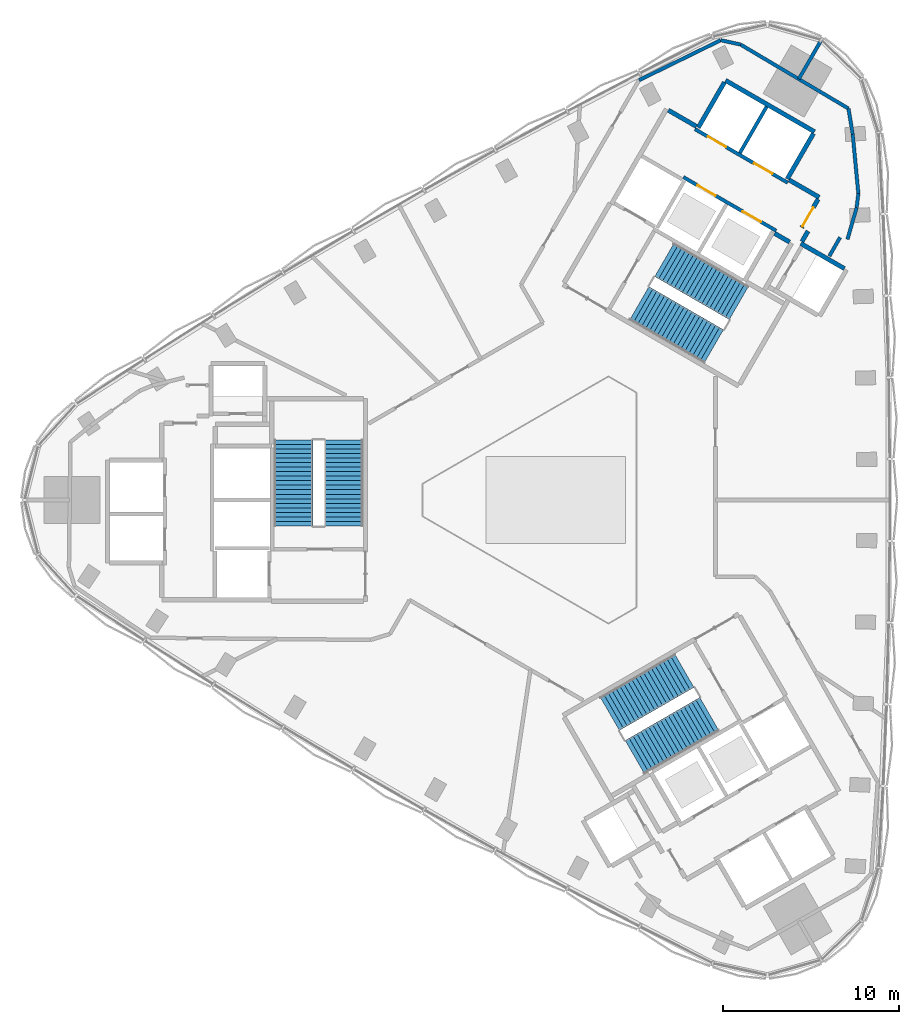
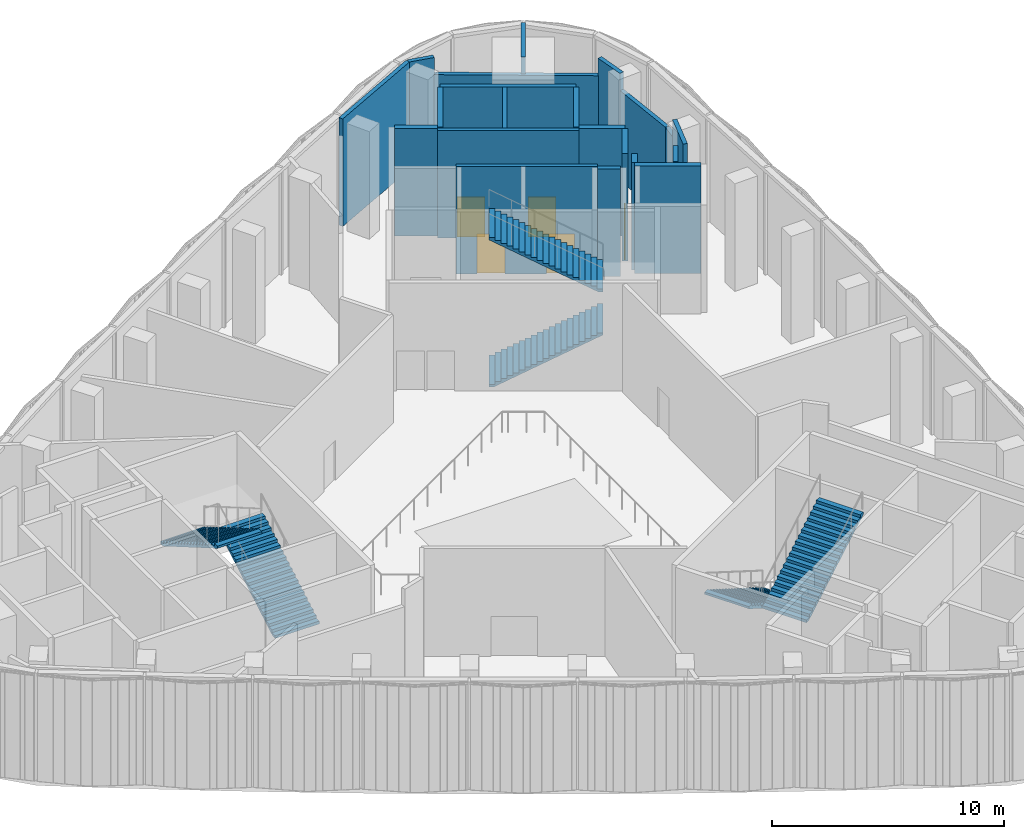
# One storey, part 8 of 14: 21 walls, 6 stair flights, 5 doors, 5 openings, 3 elements without a shape of their own.
"""IFC4 building model written with IfcOpenShell, lengths in metres."""

from ifc_helpers import new_model, si_unit, direction, frame, frame_2d, origin, place, context, subcontext, project, spatial, polyline, rectangle, outline, extrude, material, layer, layer_set, type_object, element, fill, aggregate, save


model = new_model("IFC4")

# Units and contexts
model_context = context("Model", 3, precision=1e-05, world=origin(), true_north=direction((0.0, 1.0)))
body_context = subcontext(model_context, "Body", "Model", "MODEL_VIEW")
ifc_project = project(units=[si_unit("LENGTHUNIT", "METRE"), si_unit("AREAUNIT", "SQUARE_METRE"), si_unit("VOLUMEUNIT", "CUBIC_METRE"), si_unit("PLANEANGLEUNIT", "RADIAN"), si_unit("MASSUNIT", "GRAM", prefix="KILO")], contexts=[model_context])

# Site, building, storey
site_placement = place(None, origin())
site = spatial("IfcSite", under=ifc_project, at=site_placement, CompositionType="ELEMENT")
building_placement = place(site_placement, origin())
building = spatial("IfcBuilding", under=site, at=building_placement, Name="Tamra Quay Hotel Tower", CompositionType="ELEMENT")
storey_placement = place(building_placement, frame((0.0, 0.0, 169.60009765625)))
storey = spatial("IfcBuildingStorey", under=building, at=storey_placement, Name="L42", CompositionType="ELEMENT", Elevation=169.60009765625)

# Wall, openings, doors
ifc_material_1 = material(Name="Concrete M70", Category="concrete")
ifc_layer_1 = layer(ifc_material_1, 0.199951171875)
ifc_layer_set_1 = layer_set([ifc_layer_1], Name="Concrete M70 core wall 200")
wall_type_1 = type_object("IfcWallType", Name="Concrete M70 core wall 200", PredefinedType="SHEAR", material=ifc_layer_set_1)
wall_1_placement = place(storey_placement, frame((13.209716796875, 18.07958984375, 0.0), z_axis=(0.0, 0.0, 1.0), x_axis=(-0.866030299012, 0.499991521122, 0.0)))
wall_1 = element("IfcWall", 1, at=wall_1_placement, inside=storey, type_object=wall_type_1, Name="CW2", PredefinedType="SHEAR", context=body_context, shape_type="SweptSolid", body=[
    extrude(rectangle(XDim=6.10009765625, YDim=0.199951171875, at=frame_2d((3.050048828125, 0.0))), origin(), (0.0, 0.0, 1.0), 5.64990234375),
])
opening_1_placement = place(wall_1_placement, frame((1.0, 0.0, 0.0)))
opening_1 = element("IfcOpeningElement", 2, at=opening_1_placement, cuts=wall_1, Name="Opening LD", PredefinedType="OPENING", context=body_context, shape_type="SweptSolid", body=[
    extrude(rectangle(XDim=1.199951171875, YDim=2.10009765625, at=frame_2d((0.60009765625, 1.050048828125))), frame((0.0, 0.10986328125, 0.0), z_axis=(0.0, -1.0, 0.0), x_axis=(1.0, 0.0, 0.0)), (0.0, 0.0, 1.0), 0.219970703125),
])
opening_2_placement = place(wall_1_placement, frame((4.05029296875, 0.0, 0.0)))
opening_2 = element("IfcOpeningElement", 3, at=opening_2_placement, cuts=wall_1, Name="Opening LD", PredefinedType="OPENING", context=body_context, shape_type="SweptSolid", body=[
    extrude(rectangle(XDim=1.199951171875, YDim=2.10009765625, at=frame_2d((0.60009765625, 1.050048828125))), frame((0.0, 0.10986328125, 0.0), z_axis=(0.0, -1.0, 0.0), x_axis=(1.0, 0.0, 0.0)), (0.0, 0.0, 1.0), 0.219970703125),
])
ifc_material_2 = material(Name="Landing door LD 1200 double door sliding")
door_type_1 = type_object("IfcDoorType", Name="Landing door LD 1200 double door sliding", OperationType="DOUBLE_DOOR_SLIDING", PredefinedType="DOOR", material=ifc_material_2)
door_1_placement = place(opening_1_placement, origin())
door_1 = element("IfcDoor", 4, at=door_1_placement, inside=storey, type_object=door_type_1, Name="LD", OperationType="DOUBLE_DOOR_SLIDING", OverallHeight=2.10009765625, OverallWidth=1.199951171875, PredefinedType="DOOR", context=body_context, shape_type="SweptSolid", body=[
    extrude(rectangle(XDim=1.199951171875, YDim=2.10009765625, at=frame_2d((0.60009765625, 1.050048828125))), frame((0.0, 0.02490234375, 0.0), z_axis=(0.0, -1.0, 0.0), x_axis=(1.0, 0.0, 0.0)), (0.0, 0.0, 1.0), 0.050048828125),
])
fill(opening_1, door_1)
door_2_placement = place(opening_2_placement, origin())
door_2 = element("IfcDoor", 5, at=door_2_placement, inside=storey, type_object=door_type_1, Name="LD", OperationType="DOUBLE_DOOR_SLIDING", OverallHeight=2.10009765625, OverallWidth=1.199951171875, PredefinedType="DOOR", context=body_context, shape_type="SweptSolid", body=[
    extrude(rectangle(XDim=1.199951171875, YDim=2.10009765625, at=frame_2d((0.60009765625, 1.050048828125))), frame((0.0, 0.02490234375, 0.0), z_axis=(0.0, -1.0, 0.0), x_axis=(1.0, 0.0, 0.0)), (0.0, 0.0, 1.0), 0.050048828125),
])
fill(opening_2, door_2)

wall_2_placement = place(storey_placement, frame((12.552490234375, 15.341552734375, 0.0), z_axis=(0.0, 0.0, 1.0), x_axis=(-0.866030299012, 0.499991521122, 0.0)))
wall_2 = element("IfcWall", 6, at=wall_2_placement, inside=storey, type_object=wall_type_1, Name="CW2", PredefinedType="SHEAR", context=body_context, shape_type="SweptSolid", body=[
    extrude(rectangle(XDim=6.10009765625, YDim=0.199951171875, at=frame_2d((3.050048828125, 0.0))), origin(), (0.0, 0.0, 1.0), 5.64990234375),
])
opening_3_placement = place(wall_2_placement, frame((1.0, 0.0, 0.0)))
opening_3 = element("IfcOpeningElement", 7, at=opening_3_placement, cuts=wall_2, Name="Opening LD", PredefinedType="OPENING", context=body_context, shape_type="SweptSolid", body=[
    extrude(rectangle(XDim=1.199951171875, YDim=2.10009765625, at=frame_2d((0.60009765625, 1.050048828125))), frame((0.0, 0.10986328125, 0.0), z_axis=(0.0, -1.0, 0.0), x_axis=(1.0, 0.0, 0.0)), (0.0, 0.0, 1.0), 0.219970703125),
])
opening_4_placement = place(wall_2_placement, frame((3.982177734375, 0.0, 0.0)))
opening_4 = element("IfcOpeningElement", 8, at=opening_4_placement, cuts=wall_2, Name="Opening LD", PredefinedType="OPENING", context=body_context, shape_type="SweptSolid", body=[
    extrude(rectangle(XDim=1.199951171875, YDim=2.10009765625, at=frame_2d((0.60009765625, 1.050048828125))), frame((0.0, 0.10986328125, 0.0), z_axis=(0.0, -1.0, 0.0), x_axis=(1.0, 0.0, 0.0)), (0.0, 0.0, 1.0), 0.219970703125),
])
door_3_placement = place(opening_3_placement, origin())
door_3 = element("IfcDoor", 9, at=door_3_placement, inside=storey, type_object=door_type_1, Name="LD", OperationType="DOUBLE_DOOR_SLIDING", OverallHeight=2.10009765625, OverallWidth=1.199951171875, PredefinedType="DOOR", context=body_context, shape_type="SweptSolid", body=[
    extrude(rectangle(XDim=1.199951171875, YDim=2.10009765625, at=frame_2d((0.60009765625, 1.050048828125))), frame((0.0, 0.02490234375, 0.0), z_axis=(0.0, -1.0, 0.0), x_axis=(1.0, 0.0, 0.0)), (0.0, 0.0, 1.0), 0.050048828125),
])
fill(opening_3, door_3)
door_4_placement = place(opening_4_placement, origin())
door_4 = element("IfcDoor", 10, at=door_4_placement, inside=storey, type_object=door_type_1, Name="LD", OperationType="DOUBLE_DOOR_SLIDING", OverallHeight=2.10009765625, OverallWidth=1.199951171875, PredefinedType="DOOR", context=body_context, shape_type="SweptSolid", body=[
    extrude(rectangle(XDim=1.199951171875, YDim=2.10009765625, at=frame_2d((0.60009765625, 1.050048828125))), frame((0.0, 0.02490234375, 0.0), z_axis=(0.0, -1.0, 0.0), x_axis=(1.0, 0.0, 0.0)), (0.0, 0.0, 1.0), 0.050048828125),
])
fill(opening_4, door_4)

# Walls
wall_3_placement = place(storey_placement, frame((10.48876953125, 19.76708984375, 0.0), z_axis=(0.0, 0.0, 1.0), x_axis=(0.499946628782, 0.866056215479, 0.0)))
element("IfcWall", 11, at=wall_3_placement, inside=storey, type_object=wall_type_1, Name="CW2", PredefinedType="SHEAR", context=body_context, shape_type="SweptSolid", body=[
    extrude(rectangle(XDim=3.048095703125, YDim=0.199951171875, at=frame_2d((1.52392578125, 0.0))), origin(), (0.0, 0.0, 1.0), 5.64990234375),
])
ifc_layer_2 = layer(ifc_material_1, 0.25)
ifc_layer_set_2 = layer_set([ifc_layer_2], Name="Concrete M70 core wall 250")
wall_type_2 = type_object("IfcWallType", Name="Concrete M70 core wall 250", PredefinedType="SHEAR", material=ifc_layer_set_2)
wall_4_placement = place(storey_placement, frame((9.672607421875, 23.9033203125, 0.0), z_axis=(0.0, 0.0, 1.0), x_axis=(0.86603616409, -0.499981362141, 0.0)))
element("IfcWall", 12, at=wall_4_placement, inside=storey, type_object=wall_type_2, Name="CW1", PredefinedType="SHEAR", context=body_context, shape_type="SweptSolid", body=[
    extrude(rectangle(XDim=5.849853515625, YDim=0.25, at=frame_2d((2.9248046875, 0.0))), origin(), (0.0, 0.0, 1.0), 5.64990234375),
])
for number, where, z_axis, x_axis, name in (
    (13, (8.12255859375, 21.21875, 0.0), (0.0, 0.0, 1.0), (0.499987686533, 0.866032512851, 0.0), "CW1"),
    (14, (14.67626953125, 20.869873046875, 0.0), (0.0, 0.0, 1.0), (-0.499987686533, -0.866032512851, 0.0), "CW1"),
):
    element("IfcWall", number, at=place(storey_placement, frame(where, z_axis=z_axis, x_axis=x_axis)), inside=storey, type_object=wall_type_2, Name=name, PredefinedType="SHEAR", context=body_context, shape_type="SweptSolid", body=[
        extrude(rectangle(XDim=2.974609375, YDim=0.25, at=frame_2d((1.4873046875, 0.0))), origin(), (0.0, 0.0, 1.0), 5.64990234375),
    ])
wall_5_placement = place(storey_placement, frame((13.962646484375, 14.61376953125, 0.0), z_axis=(0.0, 0.0, 1.0), x_axis=(0.866042235819, -0.499970844928, 0.0)))
element("IfcWall", 15, at=wall_5_placement, inside=storey, type_object=wall_type_2, Name="CW1", PredefinedType="SHEAR", context=body_context, shape_type="SweptSolid", body=[
    extrude(rectangle(XDim=2.864501953125, YDim=0.25, at=frame_2d((1.43212890625, 0.0))), origin(), (0.0, 0.0, 1.0), 5.64990234375),
])
wall_6_placement = place(storey_placement, frame((13.29736328125, 18.23095703125, 0.0), z_axis=(0.0, 0.0, 1.0), x_axis=(0.866043531843, -0.499968599967, 0.0)))
element("IfcWall", 16, at=wall_6_placement, inside=storey, type_object=wall_type_2, Name="CW1", PredefinedType="SHEAR", context=body_context, shape_type="SweptSolid", body=[
    extrude(rectangle(XDim=1.974853515625, YDim=0.25, at=frame_2d((0.9873046875, 0.0))), origin(), (0.0, 0.0, 1.0), 5.64990234375),
])
wall_7_placement = place(storey_placement, frame((6.41259765625, 22.2060546875, 0.0), z_axis=(0.0, 0.0, 1.0), x_axis=(0.866016279763, -0.500015802937, 0.0)))
element("IfcWall", 17, at=wall_7_placement, inside=storey, type_object=wall_type_2, Name="CW1", PredefinedType="SHEAR", context=body_context, shape_type="SweptSolid", body=[
    extrude(rectangle(XDim=1.84912109375, YDim=0.25, at=frame_2d((0.924560546875, 0.0))), origin(), (0.0, 0.0, 1.0), 5.64990234375),
])

# Wall, opening, door
wall_8_placement = place(storey_placement, frame((14.94482421875, 17.13525390625, 0.0), z_axis=(0.0, 0.0, 1.0), x_axis=(-0.499983108224, -0.866035156036, 0.0)))
wall_8 = element("IfcWall", 18, at=wall_8_placement, inside=storey, type_object=wall_type_2, Name="CW1", PredefinedType="SHEAR", context=body_context, shape_type="SweptSolid", body=[
    extrude(rectangle(XDim=1.86474609375, YDim=0.25, at=frame_2d((0.932373046875, 0.0))), origin(), (0.0, 0.0, 1.0), 5.64990234375),
])
opening_5_placement = place(wall_8_placement, frame((0.53466796875, 0.0, 0.0)))
opening_5 = element("IfcOpeningElement", 19, at=opening_5_placement, cuts=wall_8, Name="Opening FD3", PredefinedType="OPENING", context=body_context, shape_type="SweptSolid", body=[
    extrude(rectangle(XDim=1.25, YDim=2.10009765625, at=frame_2d((0.625, 1.050048828125))), frame((0.0, 0.135009765625, 0.0), z_axis=(0.0, -1.0, 0.0), x_axis=(1.0, 0.0, 0.0)), (0.0, 0.0, 1.0), 0.27001953125),
])
ifc_material_3 = material(Name="Core door FD3 1250x2100 LH")
door_type_2 = type_object("IfcDoorType", Name="Core door FD3 1250x2100 LH", OperationType="NOTDEFINED", PredefinedType="DOOR", material=ifc_material_3)
door_5_placement = place(opening_5_placement, origin())
door_5 = element("IfcDoor", 20, at=door_5_placement, inside=storey, type_object=door_type_2, Name="FD3", OperationType="SINGLE_SWING_LEFT", OverallHeight=2.10009765625, OverallWidth=1.25, PredefinedType="DOOR", context=body_context, shape_type="SweptSolid", body=[
    extrude(rectangle(XDim=1.25, YDim=2.10009765625, at=frame_2d((0.625, 1.050048828125))), frame((0.0, 0.02490234375, 0.0), z_axis=(0.0, -1.0, 0.0), x_axis=(1.0, 0.0, 0.0)), (0.0, 0.0, 1.0), 0.050048828125),
])
fill(opening_5, door_5)

# Walls
wall_9_placement = place(storey_placement, frame((13.322021484375, 14.695068359375, 0.0), z_axis=(0.0, 0.0, 1.0), x_axis=(-0.866017078145, 0.500014420154, 0.0)))
element("IfcWall", 21, at=wall_9_placement, inside=storey, type_object=wall_type_2, Name="CW1", PredefinedType="SHEAR", context=body_context, shape_type="SweptSolid", body=[
    extrude(rectangle(XDim=0.9892578125, YDim=0.25, at=frame_2d((0.49462890625, 0.0))), origin(), (0.0, 0.0, 1.0), 5.64990234375),
])
wall_10_placement = place(storey_placement, frame((14.36767578125, 15.3154296875, 0.0), z_axis=(0.0, 0.0, 1.0), x_axis=(-0.499897359611, -0.866084655132, 0.0)))
element("IfcWall", 22, at=wall_10_placement, inside=storey, type_object=wall_type_2, Name="CW1", PredefinedType="SHEAR", context=body_context, shape_type="SweptSolid", body=[
    extrude(rectangle(XDim=0.684814453125, YDim=0.25, at=frame_2d((0.34228515625, 0.0))), origin(), (0.0, 0.0, 1.0), 5.64990234375),
])
ifc_material_4 = material(Name="Partition corridor wall")
ifc_layer_3 = layer(ifc_material_4, 0.199951171875)
ifc_layer_set_3 = layer_set([ifc_layer_3], Name="Partition corridor wall")
wall_type_3 = type_object("IfcWallType", Name="Partition corridor wall", PredefinedType="PARTITIONING", material=ifc_layer_set_3)
wall_11_placement = place(storey_placement, frame((4.7451171875, 23.9140625, 0.0), z_axis=(0.0, 0.0, 1.0), x_axis=(0.897871376736, 0.44025786857, 0.0)))
element("IfcWall", 23, at=wall_11_placement, inside=storey, type_object=wall_type_3, Name="W-C", PredefinedType="PARTITIONING", context=body_context, shape_type="SweptSolid", body=[
    extrude(rectangle(XDim=5.176513671875, YDim=0.199951171875, at=frame_2d((2.58837890625, 0.0))), origin(), (0.0, 0.0, 1.0), 5.64990234375),
])
wall_12_placement = place(storey_placement, frame((9.39599609375, 26.193115234375, 0.0), z_axis=(0.0, 0.0, 1.0), x_axis=(0.977092447053, -0.212815295296, 0.0)))
element("IfcWall", 24, at=wall_12_placement, inside=storey, type_object=wall_type_3, Name="W-C", PredefinedType="PARTITIONING", context=body_context, shape_type="SweptSolid", body=[
    extrude(rectangle(XDim=1.156494140625, YDim=0.199951171875, at=frame_2d((0.578125, 0.0))), origin(), (0.0, 0.0, 1.0), 5.64990234375),
])
wall_13_placement = place(storey_placement, frame((10.52587890625, 25.94677734375, 0.0), z_axis=(0.0, 0.0, 1.0), x_axis=(0.860134432283, -0.510067405742, 0.0)))
element("IfcWall", 25, at=wall_13_placement, inside=storey, type_object=wall_type_3, Name="W-C", PredefinedType="PARTITIONING", context=body_context, shape_type="SweptSolid", body=[
    extrude(rectangle(XDim=7.145751953125, YDim=0.199951171875, at=frame_2d((3.57275390625, 0.0))), origin(), (0.0, 0.0, 1.0), 4.75),
])
wall_14_placement = place(storey_placement, frame((15.583740234375, 13.891357421875, 0.0), z_axis=(0.0, 0.0, 1.0), x_axis=(0.498102255804, 0.867118298021, 0.0)))
element("IfcWall", 26, at=wall_14_placement, inside=storey, type_object=wall_type_3, Name="W-C", PredefinedType="PARTITIONING", context=body_context, shape_type="SweptSolid", body=[
    extrude(rectangle(XDim=1.231201171875, YDim=0.199951171875, at=frame_2d((0.61572265625, 0.0))), origin(), (0.0, 0.0, 1.0), 5.64990234375),
])
wall_15_placement = place(storey_placement, frame((16.617919921875, 14.847900390625, 0.0), z_axis=(0.0, 0.0, 1.0), x_axis=(0.277680505718, 0.960673480817, 0.0)))
element("IfcWall", 27, at=wall_15_placement, inside=storey, type_object=wall_type_3, Name="W-C", PredefinedType="PARTITIONING", context=body_context, shape_type="SweptSolid", body=[
    extrude(rectangle(XDim=1.88427734375, YDim=0.199951171875, at=frame_2d((0.942138671875, 0.0))), origin(), (0.0, 0.0, 1.0), 5.64990234375),
])
wall_16_placement = place(storey_placement, frame((16.675048828125, 22.298095703125, 0.0), z_axis=(0.0, 0.0, 1.0), x_axis=(0.162826774329, -0.98665467189, 0.0)))
element("IfcWall", 28, at=wall_16_placement, inside=storey, type_object=wall_type_3, Name="W-C", PredefinedType="PARTITIONING", context=body_context, shape_type="SweptSolid", body=[
    extrude(rectangle(XDim=1.48583984375, YDim=0.199951171875, at=frame_2d((0.742919921875, 0.0))), origin(), (0.0, 0.0, 1.0), 5.64990234375),
])
wall_17_placement = place(storey_placement, frame((16.9169921875, 20.83203125, 0.0), z_axis=(0.0, 0.0, 1.0), x_axis=(0.094778481, -0.995498387512, 0.0)))
element("IfcWall", 29, at=wall_17_placement, inside=storey, type_object=wall_type_3, Name="W-C", PredefinedType="PARTITIONING", context=body_context, shape_type="SweptSolid", body=[
    extrude(rectangle(XDim=3.38720703125, YDim=0.199951171875, at=frame_2d((1.693603515625, 0.0))), origin(), (0.0, 0.0, 1.0), 4.75),
])
wall_18_placement = place(storey_placement, frame((17.14111328125, 16.660888671875, 0.0), z_axis=(0.0, 0.0, 1.0), x_axis=(0.120412889455, 0.992723897191, 0.0)))
element("IfcWall", 30, at=wall_18_placement, inside=storey, type_object=wall_type_3, Name="W-C", PredefinedType="PARTITIONING", context=body_context, shape_type="SweptSolid", body=[
    extrude(rectangle(XDim=0.804931640625, YDim=0.199951171875, at=frame_2d((0.40234375, 0.0))), origin(), (0.0, 0.0, 1.0), 4.75),
])
ifc_material_5 = material(Name="Partition party wall")
ifc_layer_4 = layer(ifc_material_5, 0.199951171875)
ifc_layer_set_4 = layer_set([ifc_layer_4], Name="Partition party wall")
wall_type_4 = type_object("IfcWallType", Name="Partition party wall", PredefinedType="PARTITIONING", material=ifc_layer_set_4)
wall_19_placement = place(storey_placement, frame((13.844970703125, 23.97998046875, 0.0), z_axis=(0.0, 0.0, 1.0), x_axis=(0.499958721521, 0.866049234614, 0.0)))
element("IfcWall", 31, at=wall_19_placement, inside=storey, type_object=wall_type_4, Name="W-P", PredefinedType="PARTITIONING", context=body_context, shape_type="SweptSolid", body=[
    extrude(rectangle(XDim=2.564208984375, YDim=0.199951171875, at=frame_2d((1.2822265625, 0.0))), origin(), (0.0, 0.0, 1.0), 5.64990234375),
])

# Stair, stair flights
ifc_material_6 = material(Name="Exit stair 2200 40 risers 150.0 going 258")
stair_type = type_object("IfcStairType", Name="Exit stair 2200 40 risers 150.0 going 258", PredefinedType="HALF_TURN_STAIR", material=ifc_material_6)
stair_1_placement = place(storey_placement, origin())
stair_1 = element("IfcStair", 32, at=stair_1_placement, inside=storey, type_object=stair_type, Name="L42 Exit stair ST3", PredefinedType="HALF_TURN_STAIR")
ifc_material_7 = material(Name="Exit stair flight 2200 20 risers 150.0")
stair_flight_type = type_object("IfcStairFlightType", Name="Exit stair flight 2200 20 risers 150.0", PredefinedType="STRAIGHT", material=ifc_material_7)
stair_flight_1_placement = place(storey_placement, frame((-12.082275390625, -1.47998046875, 0.0), z_axis=(0.0, 0.0, 1.0), x_axis=(0.0, 1.0, 0.0)))
stair_flight_1 = element("IfcStairFlight", 33, at=stair_flight_1_placement, type_object=stair_flight_type, Name="ST3 flight 1", NumberOfRisers=20, NumberOfTreads=19, PredefinedType="STRAIGHT", RiserHeight=0.15, TreadLength=0.258, context=body_context, shape_type="SweptSolid", body=[
    extrude(outline(polyline([(0.0, 0.0), (0.0, 0.14990234375), (0.258056640625, 0.14990234375), (0.258056640625, 0.300048828125), (0.51611328125, 0.300048828125), (0.51611328125, 0.449951171875), (0.77392578125, 0.449951171875), (0.77392578125, 0.60009765625), (1.031982421875, 0.60009765625), (1.031982421875, 0.75), (1.2900390625, 0.75), (1.2900390625, 0.89990234375), (1.548095703125, 0.89990234375), (1.548095703125, 1.050048828125), (1.805908203125, 1.050048828125), (1.805908203125, 1.199951171875), (2.06396484375, 1.199951171875), (2.06396484375, 1.35009765625), (2.322021484375, 1.35009765625), (2.322021484375, 1.5), (2.580078125, 1.5), (2.580078125, 1.64990234375), (2.837890625, 1.64990234375), (2.837890625, 1.800048828125), (3.095947265625, 1.800048828125), (3.095947265625, 1.949951171875), (3.35400390625, 1.949951171875), (3.35400390625, 2.10009765625), (3.612060546875, 2.10009765625), (3.612060546875, 2.25), (3.8701171875, 2.25), (3.8701171875, 2.39990234375), (4.1279296875, 2.39990234375), (4.1279296875, 2.550048828125), (4.385986328125, 2.550048828125), (4.385986328125, 2.699951171875), (4.64404296875, 2.699951171875), (4.64404296875, 2.85009765625), (4.902099609375, 2.85009765625), (4.902099609375, 3.0), (4.902099609375, 2.734130859375), (0.19921875, 0.0), (0.0, 0.0)])), frame((0.0, 1.10009765625, 0.0), z_axis=(0.0, -1.0, 0.0), x_axis=(1.0, 0.0, 0.0)), (0.0, 0.0, 1.0), 2.199951171875),
])
stair_flight_2_placement = place(storey_placement, frame((-14.94140625, 3.421875, 3.0), z_axis=(0.0, 0.0, 1.0), x_axis=(0.0, -1.0, 0.0)))
stair_flight_2 = element("IfcStairFlight", 34, at=stair_flight_2_placement, type_object=stair_flight_type, Name="ST3 flight 2", NumberOfRisers=20, NumberOfTreads=19, PredefinedType="STRAIGHT", RiserHeight=0.15, TreadLength=0.258, context=body_context, shape_type="SweptSolid", body=[
    extrude(outline(polyline([(0.0, 0.0), (0.0, 0.14990234375), (0.258056640625, 0.14990234375), (0.258056640625, 0.300048828125), (0.51611328125, 0.300048828125), (0.51611328125, 0.449951171875), (0.77392578125, 0.449951171875), (0.77392578125, 0.60009765625), (1.031982421875, 0.60009765625), (1.031982421875, 0.75), (1.2900390625, 0.75), (1.2900390625, 0.89990234375), (1.548095703125, 0.89990234375), (1.548095703125, 1.050048828125), (1.805908203125, 1.050048828125), (1.805908203125, 1.199951171875), (2.06396484375, 1.199951171875), (2.06396484375, 1.35009765625), (2.322021484375, 1.35009765625), (2.322021484375, 1.5), (2.580078125, 1.5), (2.580078125, 1.64990234375), (2.837890625, 1.64990234375), (2.837890625, 1.800048828125), (3.095947265625, 1.800048828125), (3.095947265625, 1.949951171875), (3.35400390625, 1.949951171875), (3.35400390625, 2.10009765625), (3.612060546875, 2.10009765625), (3.612060546875, 2.25), (3.8701171875, 2.25), (3.8701171875, 2.39990234375), (4.1279296875, 2.39990234375), (4.1279296875, 2.550048828125), (4.385986328125, 2.550048828125), (4.385986328125, 2.699951171875), (4.64404296875, 2.699951171875), (4.64404296875, 2.85009765625), (4.902099609375, 2.85009765625), (4.902099609375, 3.0), (4.902099609375, 2.734130859375), (0.19921875, 0.0), (0.0, 0.0)])), frame((0.0, 1.10009765625, 0.0), z_axis=(0.0, -1.0, 0.0), x_axis=(1.0, 0.0, 0.0)), (0.0, 0.0, 1.0), 2.199951171875),
])
aggregate(stair_1, [stair_flight_1, stair_flight_2])

stair_2_placement = place(storey_placement, origin())
stair_2 = element("IfcStair", 35, at=stair_2_placement, inside=storey, type_object=stair_type, Name="L42 Exit stair ST1", PredefinedType="HALF_TURN_STAIR")
stair_flight_3_placement = place(storey_placement, frame((4.75927734375, 11.20361328125, 0.0), z_axis=(0.0, 0.0, 1.0), x_axis=(0.866025403784, -0.5, 0.0)))
stair_flight_3 = element("IfcStairFlight", 36, at=stair_flight_3_placement, type_object=stair_flight_type, Name="ST1 flight 1", NumberOfRisers=20, NumberOfTreads=19, PredefinedType="STRAIGHT", RiserHeight=0.15, TreadLength=0.258, context=body_context, shape_type="SweptSolid", body=[
    extrude(outline(polyline([(0.0, 0.0), (0.0, 0.14990234375), (0.258056640625, 0.14990234375), (0.258056640625, 0.300048828125), (0.51611328125, 0.300048828125), (0.51611328125, 0.449951171875), (0.77392578125, 0.449951171875), (0.77392578125, 0.60009765625), (1.031982421875, 0.60009765625), (1.031982421875, 0.75), (1.2900390625, 0.75), (1.2900390625, 0.89990234375), (1.548095703125, 0.89990234375), (1.548095703125, 1.050048828125), (1.805908203125, 1.050048828125), (1.805908203125, 1.199951171875), (2.06396484375, 1.199951171875), (2.06396484375, 1.35009765625), (2.322021484375, 1.35009765625), (2.322021484375, 1.5), (2.580078125, 1.5), (2.580078125, 1.64990234375), (2.837890625, 1.64990234375), (2.837890625, 1.800048828125), (3.095947265625, 1.800048828125), (3.095947265625, 1.949951171875), (3.35400390625, 1.949951171875), (3.35400390625, 2.10009765625), (3.612060546875, 2.10009765625), (3.612060546875, 2.25), (3.8701171875, 2.25), (3.8701171875, 2.39990234375), (4.1279296875, 2.39990234375), (4.1279296875, 2.550048828125), (4.385986328125, 2.550048828125), (4.385986328125, 2.699951171875), (4.64404296875, 2.699951171875), (4.64404296875, 2.85009765625), (4.902099609375, 2.85009765625), (4.902099609375, 3.0), (4.902099609375, 2.734130859375), (0.19921875, 0.0), (0.0, 0.0)])), frame((0.0, 1.10009765625, 0.0), z_axis=(0.0, -1.0, 0.0), x_axis=(1.0, 0.0, 0.0)), (0.0, 0.0, 1.0), 2.199951171875),
])
stair_flight_4_placement = place(storey_placement, frame((10.43408203125, 11.228515625, 3.0), z_axis=(0.0, 0.0, 1.0), x_axis=(-0.866025403784, 0.5, 0.0)))
stair_flight_4 = element("IfcStairFlight", 37, at=stair_flight_4_placement, type_object=stair_flight_type, Name="ST1 flight 2", NumberOfRisers=20, NumberOfTreads=19, PredefinedType="STRAIGHT", RiserHeight=0.15, TreadLength=0.258, context=body_context, shape_type="SweptSolid", body=[
    extrude(outline(polyline([(0.0, 0.0), (0.0, 0.14990234375), (0.258056640625, 0.14990234375), (0.258056640625, 0.300048828125), (0.51611328125, 0.300048828125), (0.51611328125, 0.449951171875), (0.77392578125, 0.449951171875), (0.77392578125, 0.60009765625), (1.031982421875, 0.60009765625), (1.031982421875, 0.75), (1.2900390625, 0.75), (1.2900390625, 0.89990234375), (1.548095703125, 0.89990234375), (1.548095703125, 1.050048828125), (1.805908203125, 1.050048828125), (1.805908203125, 1.199951171875), (2.06396484375, 1.199951171875), (2.06396484375, 1.35009765625), (2.322021484375, 1.35009765625), (2.322021484375, 1.5), (2.580078125, 1.5), (2.580078125, 1.64990234375), (2.837890625, 1.64990234375), (2.837890625, 1.800048828125), (3.095947265625, 1.800048828125), (3.095947265625, 1.949951171875), (3.35400390625, 1.949951171875), (3.35400390625, 2.10009765625), (3.612060546875, 2.10009765625), (3.612060546875, 2.25), (3.8701171875, 2.25), (3.8701171875, 2.39990234375), (4.1279296875, 2.39990234375), (4.1279296875, 2.550048828125), (4.385986328125, 2.550048828125), (4.385986328125, 2.699951171875), (4.64404296875, 2.699951171875), (4.64404296875, 2.85009765625), (4.902099609375, 2.85009765625), (4.902099609375, 3.0), (4.902099609375, 2.734130859375), (0.19921875, 0.0), (0.0, 0.0)])), frame((0.0, 1.10009765625, 0.0), z_axis=(0.0, -1.0, 0.0), x_axis=(1.0, 0.0, 0.0)), (0.0, 0.0, 1.0), 2.199951171875),
])
aggregate(stair_2, [stair_flight_3, stair_flight_4])

stair_3_placement = place(storey_placement, origin())
stair_3 = element("IfcStair", 38, at=stair_3_placement, inside=storey, type_object=stair_type, Name="L42 Exit stair ST2", PredefinedType="HALF_TURN_STAIR")
stair_flight_5_placement = place(storey_placement, frame((7.322998046875, -9.7236328125, 0.0), z_axis=(0.0, 0.0, 1.0), x_axis=(-0.866025403784, -0.5, 0.0)))
stair_flight_5 = element("IfcStairFlight", 39, at=stair_flight_5_placement, type_object=stair_flight_type, Name="ST2 flight 1", NumberOfRisers=20, NumberOfTreads=19, PredefinedType="STRAIGHT", RiserHeight=0.15, TreadLength=0.258, context=body_context, shape_type="SweptSolid", body=[
    extrude(outline(polyline([(0.0, 0.0), (0.0, 0.14990234375), (0.258056640625, 0.14990234375), (0.258056640625, 0.300048828125), (0.51611328125, 0.300048828125), (0.51611328125, 0.449951171875), (0.77392578125, 0.449951171875), (0.77392578125, 0.60009765625), (1.031982421875, 0.60009765625), (1.031982421875, 0.75), (1.2900390625, 0.75), (1.2900390625, 0.89990234375), (1.548095703125, 0.89990234375), (1.548095703125, 1.050048828125), (1.805908203125, 1.050048828125), (1.805908203125, 1.199951171875), (2.06396484375, 1.199951171875), (2.06396484375, 1.35009765625), (2.322021484375, 1.35009765625), (2.322021484375, 1.5), (2.580078125, 1.5), (2.580078125, 1.64990234375), (2.837890625, 1.64990234375), (2.837890625, 1.800048828125), (3.095947265625, 1.800048828125), (3.095947265625, 1.949951171875), (3.35400390625, 1.949951171875), (3.35400390625, 2.10009765625), (3.612060546875, 2.10009765625), (3.612060546875, 2.25), (3.8701171875, 2.25), (3.8701171875, 2.39990234375), (4.1279296875, 2.39990234375), (4.1279296875, 2.550048828125), (4.385986328125, 2.550048828125), (4.385986328125, 2.699951171875), (4.64404296875, 2.699951171875), (4.64404296875, 2.85009765625), (4.902099609375, 2.85009765625), (4.902099609375, 3.0), (4.902099609375, 2.734130859375), (0.19921875, 0.0), (0.0, 0.0)])), frame((0.0, 1.10009765625, 0.0), z_axis=(0.0, -1.0, 0.0), x_axis=(1.0, 0.0, 0.0)), (0.0, 0.0, 1.0), 2.199951171875),
])
stair_flight_6_placement = place(storey_placement, frame((4.507080078125, -14.650390625, 3.0), z_axis=(0.0, 0.0, 1.0), x_axis=(0.866025403784, 0.5, 0.0)))
stair_flight_6 = element("IfcStairFlight", 40, at=stair_flight_6_placement, type_object=stair_flight_type, Name="ST2 flight 2", NumberOfRisers=20, NumberOfTreads=19, PredefinedType="STRAIGHT", RiserHeight=0.15, TreadLength=0.258, context=body_context, shape_type="SweptSolid", body=[
    extrude(outline(polyline([(0.0, 0.0), (0.0, 0.14990234375), (0.258056640625, 0.14990234375), (0.258056640625, 0.300048828125), (0.51611328125, 0.300048828125), (0.51611328125, 0.449951171875), (0.77392578125, 0.449951171875), (0.77392578125, 0.60009765625), (1.031982421875, 0.60009765625), (1.031982421875, 0.75), (1.2900390625, 0.75), (1.2900390625, 0.89990234375), (1.548095703125, 0.89990234375), (1.548095703125, 1.050048828125), (1.805908203125, 1.050048828125), (1.805908203125, 1.199951171875), (2.06396484375, 1.199951171875), (2.06396484375, 1.35009765625), (2.322021484375, 1.35009765625), (2.322021484375, 1.5), (2.580078125, 1.5), (2.580078125, 1.64990234375), (2.837890625, 1.64990234375), (2.837890625, 1.800048828125), (3.095947265625, 1.800048828125), (3.095947265625, 1.949951171875), (3.35400390625, 1.949951171875), (3.35400390625, 2.10009765625), (3.612060546875, 2.10009765625), (3.612060546875, 2.25), (3.8701171875, 2.25), (3.8701171875, 2.39990234375), (4.1279296875, 2.39990234375), (4.1279296875, 2.550048828125), (4.385986328125, 2.550048828125), (4.385986328125, 2.699951171875), (4.64404296875, 2.699951171875), (4.64404296875, 2.85009765625), (4.902099609375, 2.85009765625), (4.902099609375, 3.0), (4.902099609375, 2.734130859375), (0.19921875, 0.0), (0.0, 0.0)])), frame((0.0, 1.10009765625, 0.0), z_axis=(0.0, -1.0, 0.0), x_axis=(1.0, 0.0, 0.0)), (0.0, 0.0, 1.0), 2.199951171875),
])
aggregate(stair_3, [stair_flight_5, stair_flight_6])

save(model, "model.ifc")
